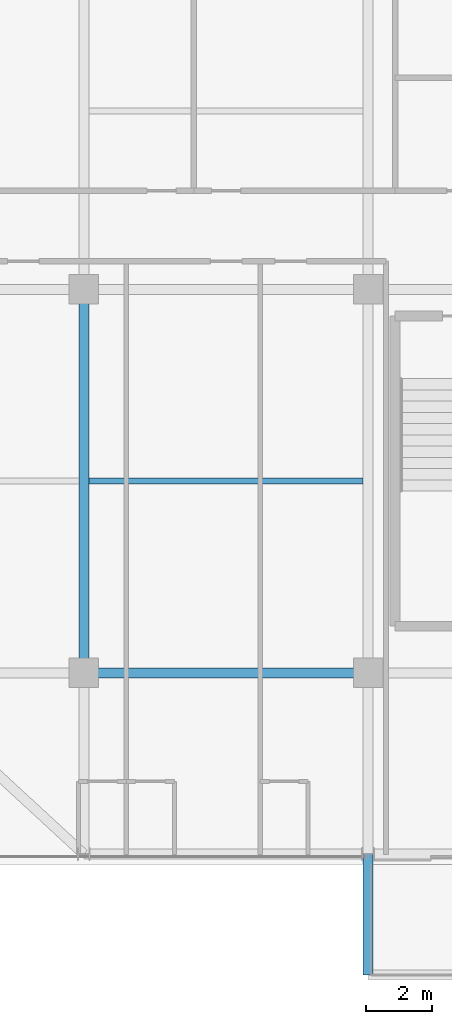
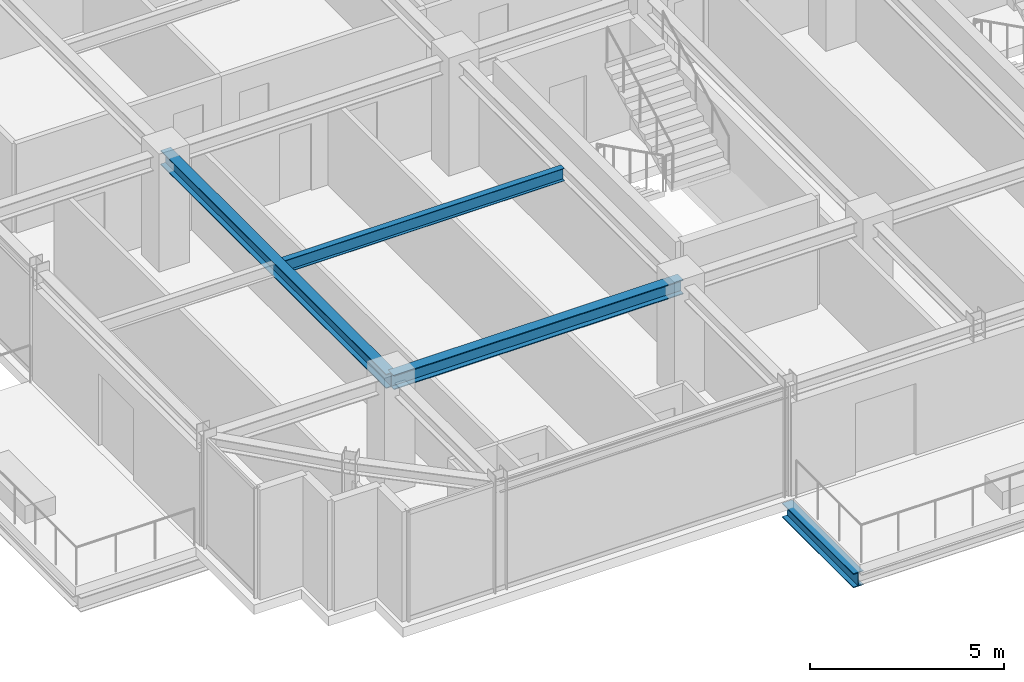
# One storey, part 6 of 31: 4 beams.
"""IFC4 building model written with IfcOpenShell, lengths in metres."""

from ifc_helpers import new_model, si_unit, direction, frame, origin, origin_2d, place, context, subcontext, project, spatial, i_section, extrude, source, transform, mapped, material, material_profile, profile_set, type_object, element, save


model = new_model("IFC4")

# Units and contexts
model_context = context("Model", 3, precision=1e-05, world=origin(), true_north=direction((0.0, 1.0)))
body_context = subcontext(model_context, "Body", "Model", "MODEL_VIEW")
ifc_project = project(units=[si_unit("LENGTHUNIT", "METRE"), si_unit("AREAUNIT", "SQUARE_METRE"), si_unit("VOLUMEUNIT", "CUBIC_METRE"), si_unit("PLANEANGLEUNIT", "RADIAN"), si_unit("MASSUNIT", "GRAM", prefix="KILO")], contexts=[model_context])

# Site, building, storey
site_placement = place(None, origin())
site = spatial("IfcSite", under=ifc_project, at=site_placement, CompositionType="ELEMENT")
building_placement = place(site_placement, origin())
building = spatial("IfcBuilding", under=site, at=building_placement, Name="Nahalor Promenade Grand Hotel", CompositionType="ELEMENT")
storey_placement = place(building_placement, frame((0.0, 0.0, 277.550048828125)))
storey = spatial("IfcBuildingStorey", under=building, at=storey_placement, Name="L71", CompositionType="ELEMENT", Elevation=277.550048828125)

# Beams
ifc_material = material(Name="Steel S355JR", Category="steel")
ifc_material_profile_1 = material_profile(ifc_material, i_section(OverallWidth=0.3, OverallDepth=0.45, WebThickness=0.014, FlangeThickness=0.026, at=origin_2d()), Name="HEB 450")
ifc_profile_set_1 = profile_set([ifc_material_profile_1], Name="Steel S355JR")
beam_type_1 = type_object("IfcBeamType", Name="Beam-Outrigger-HEB450", PredefinedType="BEAM", material=ifc_profile_set_1)
shared_shape_1 = source(origin(), body_context, "Body", "SweptSolid", [
    extrude(i_section(OverallWidth=0.3, OverallDepth=0.45, WebThickness=0.014, FlangeThickness=0.026, at=origin_2d()), origin(), (0.0, 0.0, 1.0), 3.659912109375),
])
beam_1_placement = place(storey_placement, frame((-8.39990234375, -26.139892578125, -0.505126953125), z_axis=(0.0, 1.0, 0.0), x_axis=(-1.0, 0.0, 0.0)))
element("IfcBeam", 1, at=beam_1_placement, inside=storey, type_object=beam_type_1, Name="BM-L71-BC-01-1", PredefinedType="BEAM", context=body_context, shape_type="MappedRepresentation", body=[
    mapped(shared_shape_1, transform((0.0, 0.0, 0.0), scale=1.0)),
])
ifc_material_profile_2 = material_profile(ifc_material, i_section(OverallWidth=0.3, OverallDepth=0.45, WebThickness=0.014, FlangeThickness=0.026, at=origin_2d()), Name="HEB 450")
ifc_profile_set_2 = profile_set([ifc_material_profile_2], Name="Steel S355JR")
beam_type_2 = type_object("IfcBeamType", Name="Beam-Girder-HEB450", PredefinedType="BEAM", material=ifc_profile_set_2)
shared_shape_2 = source(origin(), body_context, "Body", "SweptSolid", [
    extrude(i_section(OverallWidth=0.3, OverallDepth=0.45, WebThickness=0.014, FlangeThickness=0.026, at=origin_2d()), origin(), (0.0, 0.0, 1.0), 8.60009765625),
])
beam_2_placement = place(storey_placement, frame((-17.0, -17.0, 3.224853515625), z_axis=(1.0, 0.0, 0.0), x_axis=(0.0, 1.0, 0.0)))
element("IfcBeam", 2, at=beam_2_placement, inside=storey, type_object=beam_type_2, Name="BM-L71-GX-0-1", PredefinedType="BEAM", context=body_context, shape_type="MappedRepresentation", body=[
    mapped(shared_shape_2, transform((0.0, 0.0, 0.0), scale=1.0)),
])
shared_shape_3 = source(origin(), body_context, "Body", "SweptSolid", [
    extrude(i_section(OverallWidth=0.3, OverallDepth=0.45, WebThickness=0.014, FlangeThickness=0.026, at=origin_2d()), origin(), (0.0, 0.0, 1.0), 11.60009765625),
])
beam_3_placement = place(storey_placement, frame((-17.0, -17.0, 3.224853515625), z_axis=(0.0, 1.0, 0.0), x_axis=(-1.0, 0.0, 0.0)))
element("IfcBeam", 3, at=beam_3_placement, inside=storey, type_object=beam_type_2, Name="BM-L71-GY-0-1", PredefinedType="BEAM", context=body_context, shape_type="MappedRepresentation", body=[
    mapped(shared_shape_3, transform((0.0, 0.0, 0.0), scale=1.0)),
])
ifc_material_profile_3 = material_profile(ifc_material, i_section(OverallWidth=0.18, OverallDepth=0.4, WebThickness=0.0086, FlangeThickness=0.0135, at=origin_2d()), Name="IPE 400")
ifc_profile_set_3 = profile_set([ifc_material_profile_3], Name="Steel S355JR")
beam_type_3 = type_object("IfcBeamType", Name="Beam-Joist-IPE400", PredefinedType="JOIST", material=ifc_profile_set_3)
shared_shape_4 = source(origin(), body_context, "Body", "SweptSolid", [
    extrude(i_section(OverallWidth=0.18, OverallDepth=0.4, WebThickness=0.0086, FlangeThickness=0.0135, at=origin_2d()), origin(), (0.0, 0.0, 1.0), 8.300048828125),
])
beam_4_placement = place(storey_placement, frame((-16.85009765625, -11.199951171875, 3.25), z_axis=(1.0, 0.0, 0.0), x_axis=(0.0, 1.0, 0.0)))
element("IfcBeam", 4, at=beam_4_placement, inside=storey, type_object=beam_type_3, Name="BM-L71-JSW-0-1", PredefinedType="JOIST", context=body_context, shape_type="MappedRepresentation", body=[
    mapped(shared_shape_4, transform((0.0, 0.0, 0.0), scale=1.0)),
])

save(model, "model.ifc")
